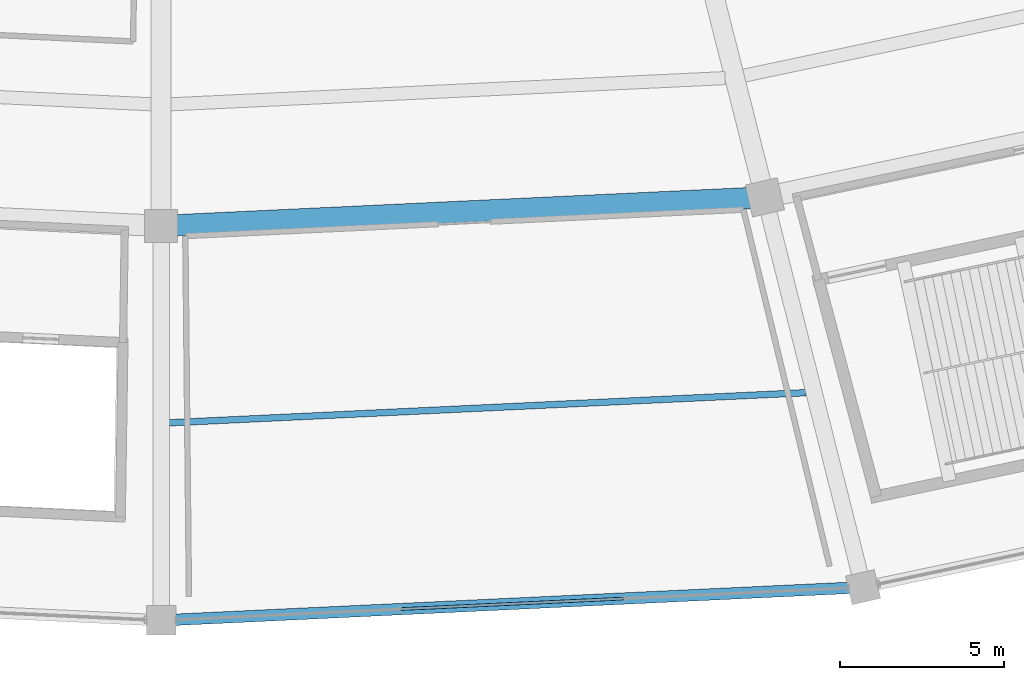
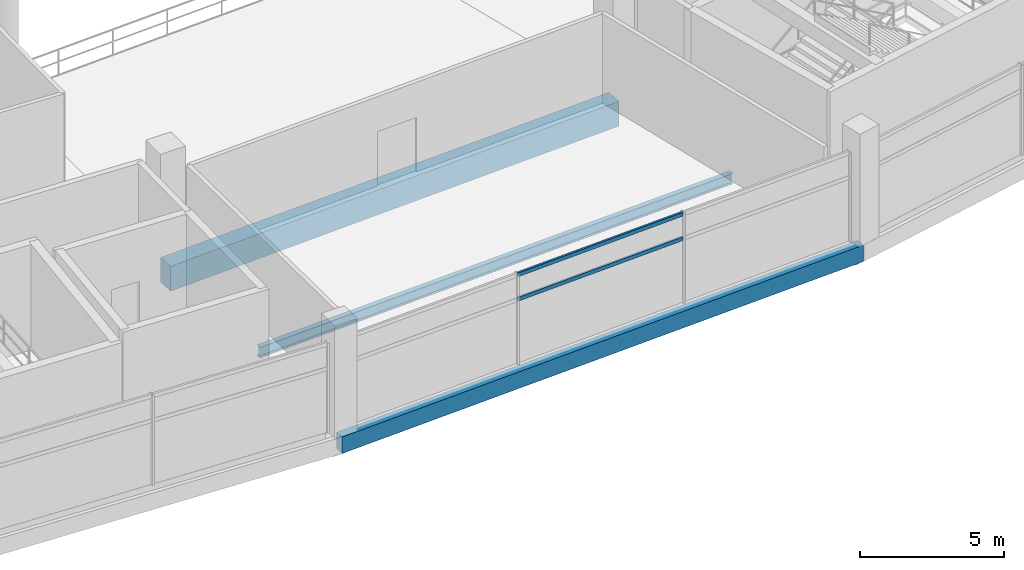
# One storey, part 29 of 171: 3 beams, 2 members, 1 element without a shape of its own.
"""IFC4 building model written with IfcOpenShell, lengths in metres."""

from ifc_helpers import new_model, si_unit, direction, frame, origin, origin_2d, place, context, subcontext, project, spatial, rectangle, hollow_rectangle, i_section, extrude, material, layer, layer_set, material_profile, profile_set, type_object, element, aggregate, save


model = new_model("IFC4")

# Units and contexts
model_context = context("Model", 3, precision=1e-05, world=origin(), true_north=direction((0.0, 1.0)))
body_context = subcontext(model_context, "Body", "Model", "MODEL_VIEW")
ifc_project = project(units=[si_unit("LENGTHUNIT", "METRE"), si_unit("AREAUNIT", "SQUARE_METRE"), si_unit("VOLUMEUNIT", "CUBIC_METRE"), si_unit("PLANEANGLEUNIT", "RADIAN"), si_unit("MASSUNIT", "GRAM", prefix="KILO")], contexts=[model_context])

# Site, building, storey
site_placement = place(None, origin())
site = spatial("IfcSite", under=ifc_project, at=site_placement, CompositionType="ELEMENT")
building_placement = place(site_placement, origin())
building = spatial("IfcBuilding", under=site, at=building_placement, Name="Kazemori Nagisa Stadium", CompositionType="ELEMENT")
storey_placement = place(building_placement, frame((0.0, 0.0, 15.639892578125)))
storey = spatial("IfcBuildingStorey", under=building, at=storey_placement, Name="L03", CompositionType="ELEMENT", Elevation=15.639892578125)

# Beams
ifc_material_1 = material(Name="Concrete C40/50 (Fc42)", Category="concrete")
ifc_material_profile_1 = material_profile(ifc_material_1, rectangle(XDim=0.64990234375, YDim=1.050048828125, at=origin_2d()), Name="RC-BM-650x1050")
ifc_profile_set_1 = profile_set([ifc_material_profile_1], Name="Concrete C40/50 (Fc42)")
beam_type_1 = type_object("IfcBeamType", Name="Beam_BG-RC650X1050", PredefinedType="BEAM", material=ifc_profile_set_1)
beam_1_placement = place(storey_placement, frame((123.0, 28.0400390625, -0.784912109375), z_axis=(0.9988839804, 0.047231278829, 0.0), x_axis=(-0.047231278829, 0.9988839804, 0.0)))
element("IfcBeam", 1, at=beam_1_placement, inside=storey, type_object=beam_type_1, Name="Ring girder BG-RC650X1050 L03 R2-22", PredefinedType="BEAM", context=body_context, shape_type="SweptSolid", body=[
    extrude(rectangle(XDim=0.64990234375, YDim=1.050048828125, at=origin_2d()), origin(), (0.0, 0.0, 1.0), 18.4482421875),
])
ifc_material_2 = material(Name="Steel SN490B", Category="steel")
ifc_material_profile_2 = material_profile(ifc_material_2, i_section(OverallWidth=0.199951171875, OverallDepth=0.449951171875, WebThickness=0.009033203125, FlangeThickness=0.013916015625, FilletRadius=0.012939453125, at=origin_2d()), Name="H-450x200x9x14")
ifc_profile_set_2 = profile_set([ifc_material_profile_2], Name="Steel SN490B")
beam_type_2 = type_object("IfcBeamType", Name="Beam_BJ-H450", PredefinedType="JOIST", material=ifc_profile_set_2)
beam_2_placement = place(storey_placement, frame((123.24462890625, 22.031494140625, -0.48486328125), z_axis=(0.998883835953, 0.047234333614, 0.0), x_axis=(-0.047234333614, 0.998883835953, 0.0)))
element("IfcBeam", 2, at=beam_2_placement, inside=storey, type_object=beam_type_2, Name="Outer bay joist BJ-H450 L03 B22", PredefinedType="JOIST", context=body_context, shape_type="SweptSolid", body=[
    extrude(i_section(OverallWidth=0.199951171875, OverallDepth=0.449951171875, WebThickness=0.009033203125, FlangeThickness=0.013916015625, FilletRadius=0.012939453125, at=origin_2d()), origin(), (0.0, 0.0, 1.0), 19.460205078125),
])
ifc_material_profile_3 = material_profile(ifc_material_1, rectangle(XDim=0.35009765625, YDim=0.699951171875, at=origin_2d()), Name="RC-SP-350x700")
ifc_profile_set_3 = profile_set([ifc_material_profile_3], Name="Concrete C40/50 (Fc42)")
beam_type_3 = type_object("IfcBeamType", Name="Beam_BS-RC350X700", PredefinedType="SPANDREL", material=ifc_profile_set_3)
beam_3_placement = place(storey_placement, frame((123.0, 16.0, -0.60986328125), z_axis=(0.998883994571, 0.047230979144, 0.0), x_axis=(-0.047230979144, 0.998883994571, 0.0)))
element("IfcBeam", 3, at=beam_3_placement, inside=storey, type_object=beam_type_3, Name="Ring girder BS-RC350X700 L03 R3-22", PredefinedType="SPANDREL", context=body_context, shape_type="SweptSolid", body=[
    extrude(rectangle(XDim=0.35009765625, YDim=0.699951171875, at=origin_2d()), origin(), (0.0, 0.0, 1.0), 21.45166015625),
])

# Curtain wall, members
ifc_material_3 = material(Name="Anodised aluminium 6063-T5", Category="aluminium")
ifc_layer = layer(ifc_material_3, 0.2099609375, Name="Anodised aluminium 6063-T5", Category="aluminium")
ifc_layer_set = layer_set([ifc_layer], Name="Anodised aluminium 6063-T5")
curtain_wall_type = type_object("IfcCurtainWallType", Name="CW_L03R3_103", PredefinedType="USERDEFINED", material=ifc_layer_set)
curtain_wall_placement = place(storey_placement, origin())
curtain_wall = element("IfcCurtainWall", 4, at=curtain_wall_placement, inside=storey, type_object=curtain_wall_type, Name="Unitised curtain wall CW-L03R3-103 L03", ObjectType="UNITISED CURTAIN WALL", PredefinedType="USERDEFINED")
ifc_material_4 = material(Name="Aluminium 6063-T5 anodised", Category="aluminium")
ifc_material_profile_4 = material_profile(ifc_material_4, hollow_rectangle(XDim=0.080078125, YDim=0.159912109375, WallThickness=0.00390625, at=origin_2d()), Name="ALU-TRAN-80x160x4")
ifc_profile_set_4 = profile_set([ifc_material_profile_4], Name="Aluminium 6063-T5 anodised")
member_type = type_object("IfcMemberType", Name="Transom_T02", PredefinedType="USERDEFINED", material=ifc_profile_set_4)
member_1_placement = place(storey_placement, frame((130.32080078125, 16.34619140625, 2.705322265625), z_axis=(0.998884501545, 0.047220255973, 0.0), x_axis=(-0.047220255973, 0.998884501545, 0.0)))
member_1 = element("IfcMember", 5, at=member_1_placement, type_object=member_type, Name="Curtain wall transom CW-L03R3-103-T2-mid", ObjectType="TRANSOM", PredefinedType="USERDEFINED", context=body_context, shape_type="SweptSolid", body=[
    extrude(hollow_rectangle(XDim=0.080078125, YDim=0.159912109375, WallThickness=0.00390625, at=origin_2d()), origin(), (0.0, 0.0, 1.0), 6.793701171875),
])
member_2_placement = place(storey_placement, frame((130.32080078125, 16.34619140625, 3.739990234375), z_axis=(0.998884501545, 0.047220255973, 0.0), x_axis=(-0.047220255973, 0.998884501545, 0.0)))
member_2 = element("IfcMember", 6, at=member_2_placement, type_object=member_type, Name="Curtain wall transom CW-L03R3-103-T2-head", ObjectType="TRANSOM", PredefinedType="USERDEFINED", context=body_context, shape_type="SweptSolid", body=[
    extrude(hollow_rectangle(XDim=0.080078125, YDim=0.159912109375, WallThickness=0.00390625, at=origin_2d()), origin(), (0.0, 0.0, 1.0), 6.793701171875),
])
aggregate(curtain_wall, [member_1, member_2])

save(model, "model.ifc")
